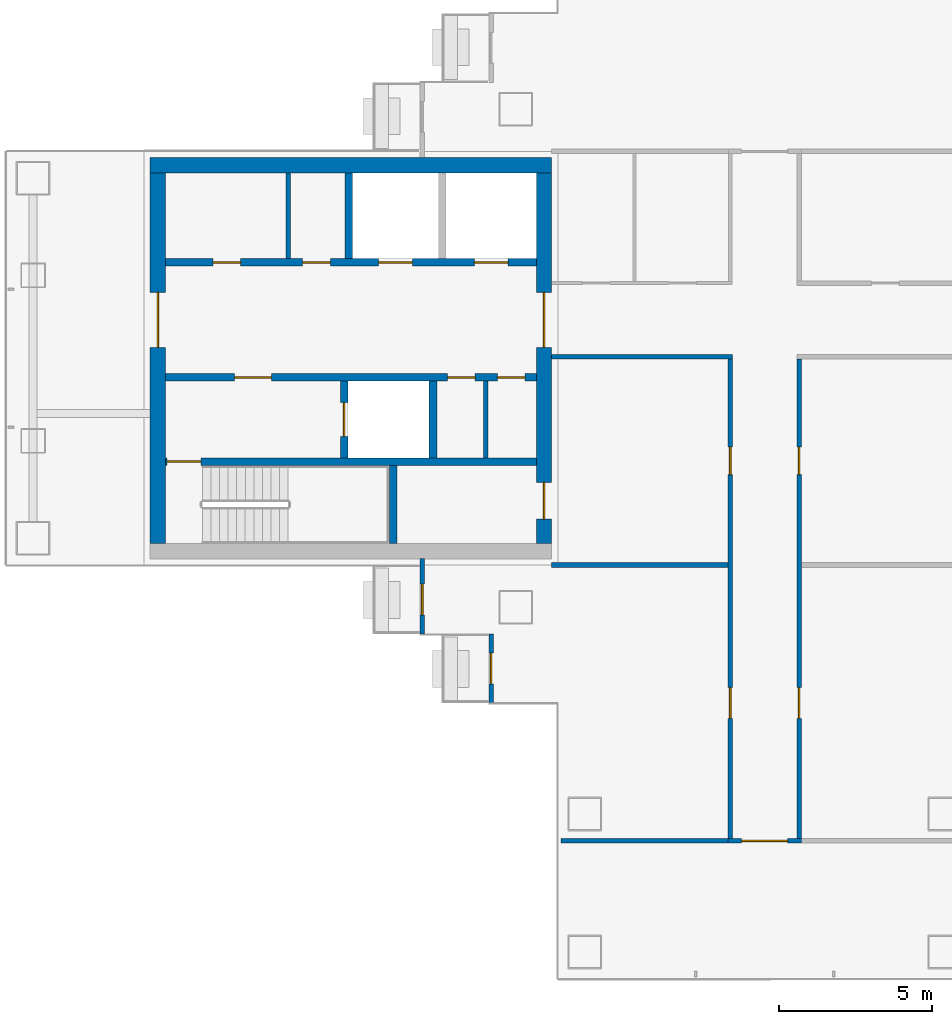
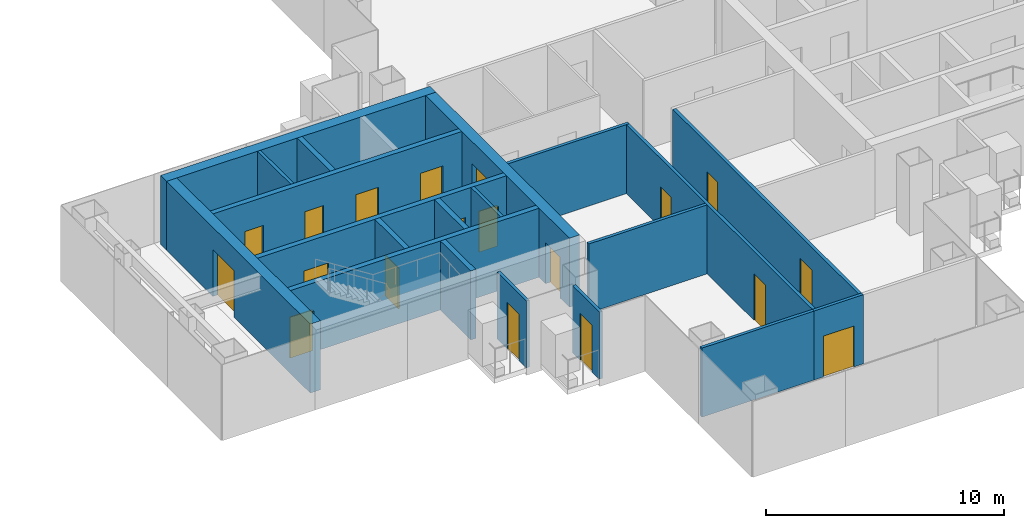
# One storey, part 11 of 17: 20 walls, 19 doors, 19 openings.
"""IFC4 building model written with IfcOpenShell, lengths in metres."""

from ifc_helpers import new_model, si_unit, direction, frame, frame_2d, origin, place, context, subcontext, project, spatial, rectangle, extrude, material, layer, layer_set, type_object, element, fill, save


model = new_model("IFC4")

# Units and contexts
model_context = context("Model", 3, precision=1e-05, world=origin(), true_north=direction((0.0, 1.0)))
body_context = subcontext(model_context, "Body", "Model", "MODEL_VIEW")
ifc_project = project(units=[si_unit("LENGTHUNIT", "METRE"), si_unit("AREAUNIT", "SQUARE_METRE"), si_unit("VOLUMEUNIT", "CUBIC_METRE"), si_unit("PLANEANGLEUNIT", "RADIAN"), si_unit("MASSUNIT", "GRAM", prefix="KILO")], contexts=[model_context])

# Site, building, storey
site_placement = place(None, origin())
site = spatial("IfcSite", under=ifc_project, at=site_placement, CompositionType="ELEMENT")
building_placement = place(site_placement, origin())
building = spatial("IfcBuilding", under=site, at=building_placement, Name="Shamsa Quay Exchange Towers", CompositionType="ELEMENT")
storey_placement = place(building_placement, frame((0.0, 0.0, 170.10009765625)))
storey = spatial("IfcBuildingStorey", under=building, at=storey_placement, Name="L40", CompositionType="ELEMENT", Elevation=170.10009765625)

# Wall, opening, door
ifc_material_1 = material(Name="Aluminium EN AW-6063 T6, black anodised, with black enamelled glass infill", Category="aluminium")
ifc_layer_1 = layer(ifc_material_1, 0.14990234375)
ifc_layer_set_1 = layer_set([ifc_layer_1], Name="BALCONY DOOR BAY WALL 150")
wall_type_1 = type_object("IfcWallType", Name="BALCONY DOOR BAY WALL 150", PredefinedType="SOLIDWALL", material=ifc_layer_set_1)
wall_1_placement = place(storey_placement, frame((22.574951171875, -9.0, 0.0), z_axis=(0.0, 0.0, 1.0), x_axis=(0.0, 1.0, 0.0)))
wall_1 = element("IfcWall", 1, at=wall_1_placement, inside=storey, type_object=wall_type_1, Name="Door bay T2-PKWN L40", PredefinedType="SOLIDWALL", context=body_context, shape_type="SweptSolid", body=[
    extrude(rectangle(XDim=2.45703125, YDim=0.14990234375, at=frame_2d((1.228515625, 0.0))), origin(), (0.0, 0.0, 1.0), 3.449951171875),
])
opening_1_placement = place(wall_1_placement, frame((0.625, 0.0, 0.0)))
opening_1 = element("IfcOpeningElement", 2, at=opening_1_placement, cuts=wall_1, Name="Opening XD253", PredefinedType="OPENING", context=body_context, shape_type="SweptSolid", body=[
    extrude(rectangle(XDim=1.0, YDim=2.39990234375, at=frame_2d((0.5, 1.199951171875))), frame((0.0, 0.0849609375, 0.0), z_axis=(0.0, -1.0, 0.0), x_axis=(1.0, 0.0, 0.0)), (0.0, 0.0, 1.0), 0.169921875),
])
ifc_material_2 = material(Name="Aluminium EN AW-6063 T6, black anodised, with laminated glass leaf", Category="aluminium")
door_type_1 = type_object("IfcDoorType", Name="BALCONY DOOR 1000x2400", OperationType="SINGLE_SWING_LEFT", PredefinedType="DOOR", material=ifc_material_2)
door_1_placement = place(opening_1_placement, origin())
door_1 = element("IfcDoor", 3, at=door_1_placement, inside=storey, type_object=door_type_1, Name="Balcony door T2-PKWN L40", OperationType="SINGLE_SWING_LEFT", OverallHeight=2.39990234375, OverallWidth=1.0, PredefinedType="DOOR", context=body_context, shape_type="SweptSolid", body=[
    extrude(rectangle(XDim=1.0, YDim=2.39990234375, at=frame_2d((0.5, 1.199951171875))), frame((0.0, 0.02490234375, 0.0), z_axis=(0.0, -1.0, 0.0), x_axis=(1.0, 0.0, 0.0)), (0.0, 0.0, 1.0), 0.050048828125),
])
fill(opening_1, door_1)

wall_2_placement = place(storey_placement, frame((24.824951171875, -11.25, 0.0), z_axis=(0.0, 0.0, 1.0), x_axis=(0.0, 1.0, 0.0)))
wall_2 = element("IfcWall", 4, at=wall_2_placement, inside=storey, type_object=wall_type_1, Name="Door bay T2-PKWN L40", PredefinedType="SOLIDWALL", context=body_context, shape_type="SweptSolid", body=[
    extrude(rectangle(XDim=2.25, YDim=0.14990234375, at=frame_2d((1.125, 0.0))), origin(), (0.0, 0.0, 1.0), 3.449951171875),
])
opening_2_placement = place(wall_2_placement, frame((0.625, 0.0, 0.0)))
opening_2 = element("IfcOpeningElement", 5, at=opening_2_placement, cuts=wall_2, Name="Opening XD254", PredefinedType="OPENING", context=body_context, shape_type="SweptSolid", body=[
    extrude(rectangle(XDim=1.0, YDim=2.39990234375, at=frame_2d((0.5, 1.199951171875))), frame((0.0, 0.0849609375, 0.0), z_axis=(0.0, -1.0, 0.0), x_axis=(1.0, 0.0, 0.0)), (0.0, 0.0, 1.0), 0.169921875),
])
door_2_placement = place(opening_2_placement, origin())
door_2 = element("IfcDoor", 6, at=door_2_placement, inside=storey, type_object=door_type_1, Name="Balcony door T2-PKWN L40", OperationType="SINGLE_SWING_RIGHT", OverallHeight=2.39990234375, OverallWidth=1.0, PredefinedType="DOOR", context=body_context, shape_type="SweptSolid", body=[
    extrude(rectangle(XDim=1.0, YDim=2.39990234375, at=frame_2d((0.5, 1.199951171875))), frame((0.0, 0.02490234375, 0.0), z_axis=(0.0, -1.0, 0.0), x_axis=(1.0, 0.0, 0.0)), (0.0, 0.0, 1.0), 0.050048828125),
])
fill(opening_2, door_2)

# Wall
ifc_material_3 = material(Name="Concrete C60/75", Category="concrete")
ifc_layer_2 = layer(ifc_material_3, 0.5)
ifc_layer_set_2 = layer_set([ifc_layer_2], Name="CORE WALL 500 C60/75")
wall_type_2 = type_object("IfcWallType", Name="CORE WALL 500 C60/75", PredefinedType="SHEAR", material=ifc_layer_set_2)
wall_3_placement = place(storey_placement, frame((13.699951171875, 6.300048828125, 0.0)))
element("IfcWall", 7, at=wall_3_placement, inside=storey, type_object=wall_type_2, Name="Core wall T2A-R19-PN", PredefinedType="SHEAR", context=body_context, shape_type="SweptSolid", body=[
    extrude(rectangle(XDim=13.10009765625, YDim=0.5, at=frame_2d((6.550048828125, 0.0))), origin(), (0.0, 0.0, 1.0), 3.5498046875),
])

# Wall, opening, door
wall_4_placement = place(storey_placement, frame((13.949951171875, 6.050048828125, 0.0), z_axis=(0.0, 0.0, 1.0), x_axis=(0.0, -1.0, 0.0)))
wall_4 = element("IfcWall", 8, at=wall_4_placement, inside=storey, type_object=wall_type_2, Name="Core wall T2A-R19-PF", PredefinedType="SHEAR", context=body_context, shape_type="SweptSolid", body=[
    extrude(rectangle(XDim=12.10009765625, YDim=0.5, at=frame_2d((6.050048828125, 0.0))), origin(), (0.0, 0.0, 1.0), 3.5498046875),
])
opening_3_placement = place(wall_4_placement, frame((3.89990234375, 0.0, 0.0)))
opening_3 = element("IfcOpeningElement", 9, at=opening_3_placement, cuts=wall_4, Name="Opening T2A-R19-LBD01", PredefinedType="OPENING", context=body_context, shape_type="SweptSolid", body=[
    extrude(rectangle(XDim=1.800048828125, YDim=2.39990234375, at=frame_2d((0.89990234375, 1.199951171875))), frame((0.0, 0.260009765625, 0.0), z_axis=(0.0, -1.0, 0.0), x_axis=(1.0, 0.0, 0.0)), (0.0, 0.0, 1.0), 0.52001953125),
])
ifc_material_4 = material(Name="Steel, fire rated", Category="steel")
door_type_2 = type_object("IfcDoorType", Name="LIFT LOBBY DOOR PAIR 1800", OperationType="DOUBLE_DOOR_SINGLE_SWING", PredefinedType="DOOR", material=ifc_material_4)
door_3_placement = place(opening_3_placement, origin())
door_3 = element("IfcDoor", 10, at=door_3_placement, inside=storey, type_object=door_type_2, Name="T2A-R19-LBD01", OperationType="DOUBLE_DOOR_SINGLE_SWING", OverallHeight=2.39990234375, OverallWidth=1.800048828125, PredefinedType="DOOR", context=body_context, shape_type="SweptSolid", body=[
    extrude(rectangle(XDim=1.800048828125, YDim=2.39990234375, at=frame_2d((0.89990234375, 1.199951171875))), frame((0.0, 0.02490234375, 0.0), z_axis=(0.0, -1.0, 0.0), x_axis=(1.0, 0.0, 0.0)), (0.0, 0.0, 1.0), 0.050048828125),
])
fill(opening_3, door_3)

# Wall, openings, doors
wall_5_placement = place(storey_placement, frame((26.550048828125, 6.050048828125, 0.0), z_axis=(0.0, 0.0, 1.0), x_axis=(0.0, -1.0, 0.0)))
wall_5 = element("IfcWall", 11, at=wall_5_placement, inside=storey, type_object=wall_type_2, Name="Core wall T2A-R19-PB", PredefinedType="SHEAR", context=body_context, shape_type="SweptSolid", body=[
    extrude(rectangle(XDim=12.10009765625, YDim=0.5, at=frame_2d((6.050048828125, 0.0))), origin(), (0.0, 0.0, 1.0), 3.5498046875),
])
opening_4_placement = place(wall_5_placement, frame((10.10009765625, 0.0, 0.0)))
opening_4 = element("IfcOpeningElement", 12, at=opening_4_placement, cuts=wall_5, Name="Opening T2A-R19-RD02", PredefinedType="OPENING", context=body_context, shape_type="SweptSolid", body=[
    extrude(rectangle(XDim=1.199951171875, YDim=2.10009765625, at=frame_2d((0.60009765625, 1.050048828125))), frame((0.0, 0.260009765625, 0.0), z_axis=(0.0, -1.0, 0.0), x_axis=(1.0, 0.0, 0.0)), (0.0, 0.0, 1.0), 0.52001953125),
])
opening_5_placement = place(wall_5_placement, frame((3.89990234375, 0.0, 0.0)))
opening_5 = element("IfcOpeningElement", 13, at=opening_5_placement, cuts=wall_5, Name="Opening T2A-R19-LBD03", PredefinedType="OPENING", context=body_context, shape_type="SweptSolid", body=[
    extrude(rectangle(XDim=1.800048828125, YDim=2.39990234375, at=frame_2d((0.89990234375, 1.199951171875))), frame((0.0, 0.260009765625, 0.0), z_axis=(0.0, -1.0, 0.0), x_axis=(1.0, 0.0, 0.0)), (0.0, 0.0, 1.0), 0.52001953125),
])
door_4_placement = place(opening_5_placement, origin())
door_4 = element("IfcDoor", 14, at=door_4_placement, inside=storey, type_object=door_type_2, Name="T2A-R19-LBD03", OperationType="DOUBLE_DOOR_SINGLE_SWING", OverallHeight=2.39990234375, OverallWidth=1.800048828125, PredefinedType="DOOR", context=body_context, shape_type="SweptSolid", body=[
    extrude(rectangle(XDim=1.800048828125, YDim=2.39990234375, at=frame_2d((0.89990234375, 1.199951171875))), frame((0.0, 0.02490234375, 0.0), z_axis=(0.0, -1.0, 0.0), x_axis=(1.0, 0.0, 0.0)), (0.0, 0.0, 1.0), 0.050048828125),
])
fill(opening_5, door_4)
door_type_3 = type_object("IfcDoorType", Name="RISER ACCESS DOOR 1200", OperationType="SINGLE_SWING_LEFT", PredefinedType="DOOR", material=ifc_material_4)
door_5_placement = place(opening_4_placement, origin())
door_5 = element("IfcDoor", 15, at=door_5_placement, inside=storey, type_object=door_type_3, Name="T2A-R19-RD02", OperationType="SINGLE_SWING_RIGHT", OverallHeight=2.10009765625, OverallWidth=1.199951171875, PredefinedType="DOOR", context=body_context, shape_type="SweptSolid", body=[
    extrude(rectangle(XDim=1.199951171875, YDim=2.10009765625, at=frame_2d((0.60009765625, 1.050048828125))), frame((0.0, 0.02490234375, 0.0), z_axis=(0.0, -1.0, 0.0), x_axis=(1.0, 0.0, 0.0)), (0.0, 0.0, 1.0), 0.050048828125),
])
fill(opening_4, door_5)

# Walls
ifc_material_5 = material(Name="Gypsum board on steel studs, EI 60", Category="steel")
ifc_layer_3 = layer(ifc_material_5, 0.14990234375)
ifc_layer_set_3 = layer_set([ifc_layer_3], Name="FIRE PARTITION 150")
wall_type_3 = type_object("IfcWallType", Name="FIRE PARTITION 150", PredefinedType="PARTITIONING", material=ifc_layer_set_3)
wall_6_placement = place(storey_placement, frame((24.64990234375, -3.25, 0.0), z_axis=(0.0, 0.0, 1.0), x_axis=(0.0, 1.0, 0.0)))
element("IfcWall", 16, at=wall_6_placement, inside=storey, type_object=wall_type_3, Name="Partition T2A-R19-EC0", PredefinedType="PARTITIONING", context=body_context, shape_type="SweptSolid", body=[
    extrude(rectangle(XDim=2.5, YDim=0.14990234375, at=frame_2d((1.25, 0.0))), origin(), (0.0, 0.0, 1.0), 3.5498046875),
])
wall_7_placement = place(storey_placement, frame((18.199951171875, 3.25, 0.0), z_axis=(0.0, 0.0, 1.0), x_axis=(0.0, 1.0, 0.0)))
element("IfcWall", 17, at=wall_7_placement, inside=storey, type_object=wall_type_3, Name="Partition T2A-R19-FC0", PredefinedType="PARTITIONING", context=body_context, shape_type="SweptSolid", body=[
    extrude(rectangle(XDim=2.800048828125, YDim=0.14990234375, at=frame_2d((1.39990234375, 0.0))), origin(), (0.0, 0.0, 1.0), 3.5498046875),
])
ifc_material_6 = material(Name="Gypsum board partition on metal studs")
ifc_layer_4 = layer(ifc_material_6, 0.14990234375)
ifc_layer_set_4 = layer_set([ifc_layer_4], Name="Partition 150 mm EI 60")
wall_type_4 = type_object("IfcWallType", Name="Partition 150 mm EI 60", PredefinedType="PARTITIONING", material=ifc_layer_set_4)
wall_8_placement = place(storey_placement, frame((32.699951171875, 0.0498046875, 0.0), z_axis=(0.0, 0.0, 1.0), x_axis=(-1.0, 0.0, 0.0)))
element("IfcWall", 18, at=wall_8_placement, inside=storey, type_object=wall_type_4, Name="Partition T2-R19-W03", PredefinedType="PARTITIONING", context=body_context, shape_type="SweptSolid", body=[
    extrude(rectangle(XDim=5.89990234375, YDim=0.14990234375, at=frame_2d((2.949951171875, 0.0))), origin(), (0.0, 0.0, 1.0), 3.5498046875),
])

# Wall, openings, doors
wall_9_placement = place(storey_placement, frame((32.625, -15.675048828125, 0.0), z_axis=(0.0, 0.0, 1.0), x_axis=(0.0, 1.0, 0.0)))
wall_9 = element("IfcWall", 19, at=wall_9_placement, inside=storey, type_object=wall_type_4, Name="Partition T2-R19-W05", PredefinedType="PARTITIONING", context=body_context, shape_type="SweptSolid", body=[
    extrude(rectangle(XDim=15.64990234375, YDim=0.14990234375, at=frame_2d((7.824951171875, 0.0))), origin(), (0.0, 0.0, 1.0), 3.5498046875),
])
opening_6_placement = place(wall_9_placement, frame((11.875, 0.0, 0.0)))
opening_6 = element("IfcOpeningElement", 20, at=opening_6_placement, cuts=wall_9, Name="Opening T2-R19-D06", PredefinedType="OPENING", context=body_context, shape_type="SweptSolid", body=[
    extrude(rectangle(XDim=0.89990234375, YDim=2.10009765625, at=frame_2d((0.449951171875, 1.050048828125))), frame((0.0, 0.0849609375, 0.0), z_axis=(0.0, -1.0, 0.0), x_axis=(1.0, 0.0, 0.0)), (0.0, 0.0, 1.0), 0.169921875),
])
opening_7_placement = place(wall_9_placement, frame((3.925048828125, 0.0, 0.0)))
opening_7 = element("IfcOpeningElement", 21, at=opening_7_placement, cuts=wall_9, Name="Opening T2-R19-D07", PredefinedType="OPENING", context=body_context, shape_type="SweptSolid", body=[
    extrude(rectangle(XDim=1.0, YDim=2.39990234375, at=frame_2d((0.5, 1.199951171875))), frame((0.0, 0.0849609375, 0.0), z_axis=(0.0, -1.0, 0.0), x_axis=(1.0, 0.0, 0.0)), (0.0, 0.0, 1.0), 0.169921875),
])
ifc_material_7 = material(Name="Timber door leaf in a metal frame", Category="wood")
door_type_4 = type_object("IfcDoorType", Name="Door 1000x2400 FD30S", OperationType="NOTDEFINED", PredefinedType="DOOR", material=ifc_material_7)
door_6_placement = place(opening_7_placement, origin())
door_6 = element("IfcDoor", 22, at=door_6_placement, inside=storey, type_object=door_type_4, Name="Door T2-R19-D07", OperationType="SINGLE_SWING_LEFT", OverallHeight=2.39990234375, OverallWidth=1.0, PredefinedType="DOOR", context=body_context, shape_type="SweptSolid", body=[
    extrude(rectangle(XDim=1.0, YDim=2.39990234375, at=frame_2d((0.5, 1.199951171875))), frame((0.0, 0.02490234375, 0.0), z_axis=(0.0, -1.0, 0.0), x_axis=(1.0, 0.0, 0.0)), (0.0, 0.0, 1.0), 0.050048828125),
])
fill(opening_7, door_6)
door_type_5 = type_object("IfcDoorType", Name="Door 900x2100 FD30S", OperationType="NOTDEFINED", PredefinedType="DOOR", material=ifc_material_7)
door_7_placement = place(opening_6_placement, origin())
door_7 = element("IfcDoor", 23, at=door_7_placement, inside=storey, type_object=door_type_5, Name="Door T2-R19-D06", OperationType="SINGLE_SWING_RIGHT", OverallHeight=2.10009765625, OverallWidth=0.89990234375, PredefinedType="DOOR", context=body_context, shape_type="SweptSolid", body=[
    extrude(rectangle(XDim=0.89990234375, YDim=2.10009765625, at=frame_2d((0.449951171875, 1.050048828125))), frame((0.0, 0.02490234375, 0.0), z_axis=(0.0, -1.0, 0.0), x_axis=(1.0, 0.0, 0.0)), (0.0, 0.0, 1.0), 0.050048828125),
])
fill(opening_6, door_7)

wall_10_placement = place(storey_placement, frame((34.875, -0.025146484375, 0.0), z_axis=(0.0, 0.0, 1.0), x_axis=(0.0, -1.0, 0.0)))
wall_10 = element("IfcWall", 24, at=wall_10_placement, inside=storey, type_object=wall_type_4, Name="Partition T2-R19-W07", PredefinedType="PARTITIONING", context=body_context, shape_type="SweptSolid", body=[
    extrude(rectangle(XDim=15.64990234375, YDim=0.14990234375, at=frame_2d((7.824951171875, 0.0))), origin(), (0.0, 0.0, 1.0), 3.5498046875),
])
opening_8_placement = place(wall_10_placement, frame((10.724853515625, 0.0, 0.0)))
opening_8 = element("IfcOpeningElement", 25, at=opening_8_placement, cuts=wall_10, Name="Opening T2-R19-D02", PredefinedType="OPENING", context=body_context, shape_type="SweptSolid", body=[
    extrude(rectangle(XDim=1.0, YDim=2.39990234375, at=frame_2d((0.5, 1.199951171875))), frame((0.0, 0.0849609375, 0.0), z_axis=(0.0, -1.0, 0.0), x_axis=(1.0, 0.0, 0.0)), (0.0, 0.0, 1.0), 0.169921875),
])
opening_9_placement = place(wall_10_placement, frame((2.875, 0.0, 0.0)))
opening_9 = element("IfcOpeningElement", 26, at=opening_9_placement, cuts=wall_10, Name="Opening T2-R19-D03", PredefinedType="OPENING", context=body_context, shape_type="SweptSolid", body=[
    extrude(rectangle(XDim=0.89990234375, YDim=2.10009765625, at=frame_2d((0.449951171875, 1.050048828125))), frame((0.0, 0.0849609375, 0.0), z_axis=(0.0, -1.0, 0.0), x_axis=(1.0, 0.0, 0.0)), (0.0, 0.0, 1.0), 0.169921875),
])
door_8_placement = place(opening_8_placement, origin())
door_8 = element("IfcDoor", 27, at=door_8_placement, inside=storey, type_object=door_type_4, Name="Door T2-R19-D02", OperationType="SINGLE_SWING_RIGHT", OverallHeight=2.39990234375, OverallWidth=1.0, PredefinedType="DOOR", context=body_context, shape_type="SweptSolid", body=[
    extrude(rectangle(XDim=1.0, YDim=2.39990234375, at=frame_2d((0.5, 1.199951171875))), frame((0.0, 0.02490234375, 0.0), z_axis=(0.0, -1.0, 0.0), x_axis=(1.0, 0.0, 0.0)), (0.0, 0.0, 1.0), 0.050048828125),
])
fill(opening_8, door_8)
door_9_placement = place(opening_9_placement, origin())
door_9 = element("IfcDoor", 28, at=door_9_placement, inside=storey, type_object=door_type_5, Name="Door T2-R19-D03", OperationType="SINGLE_SWING_LEFT", OverallHeight=2.10009765625, OverallWidth=0.89990234375, PredefinedType="DOOR", context=body_context, shape_type="SweptSolid", body=[
    extrude(rectangle(XDim=0.89990234375, YDim=2.10009765625, at=frame_2d((0.449951171875, 1.050048828125))), frame((0.0, 0.02490234375, 0.0), z_axis=(0.0, -1.0, 0.0), x_axis=(1.0, 0.0, 0.0)), (0.0, 0.0, 1.0), 0.050048828125),
])
fill(opening_9, door_9)

# Wall, opening, door
wall_11_placement = place(storey_placement, frame((34.949951171875, -15.75, 0.0), z_axis=(0.0, 0.0, 1.0), x_axis=(-1.0, 0.0, 0.0)))
wall_11 = element("IfcWall", 29, at=wall_11_placement, inside=storey, type_object=wall_type_4, Name="Partition T2-R19-W10", PredefinedType="PARTITIONING", context=body_context, shape_type="SweptSolid", body=[
    extrude(rectangle(XDim=2.39990234375, YDim=0.14990234375, at=frame_2d((1.199951171875, 0.0))), origin(), (0.0, 0.0, 1.0), 3.5498046875),
])
opening_10_placement = place(wall_11_placement, frame((0.449951171875, 0.0, 0.0)))
opening_10 = element("IfcOpeningElement", 30, at=opening_10_placement, cuts=wall_11, Name="Opening T2-R19-D05", PredefinedType="OPENING", context=body_context, shape_type="SweptSolid", body=[
    extrude(rectangle(XDim=1.5, YDim=2.10009765625, at=frame_2d((0.75, 1.050048828125))), frame((0.0, 0.0849609375, 0.0), z_axis=(0.0, -1.0, 0.0), x_axis=(1.0, 0.0, 0.0)), (0.0, 0.0, 1.0), 0.169921875),
])
door_type_6 = type_object("IfcDoorType", Name="Door 1500x2100 FD30S pair", OperationType="NOTDEFINED", PredefinedType="DOOR", material=ifc_material_7)
door_10_placement = place(opening_10_placement, origin())
door_10 = element("IfcDoor", 31, at=door_10_placement, inside=storey, type_object=door_type_6, Name="Door T2-R19-D05", OperationType="DOUBLE_DOOR_SINGLE_SWING", OverallHeight=2.10009765625, OverallWidth=1.5, PredefinedType="DOOR", context=body_context, shape_type="SweptSolid", body=[
    extrude(rectangle(XDim=1.5, YDim=2.10009765625, at=frame_2d((0.75, 1.050048828125))), frame((0.0, 0.02490234375, 0.0), z_axis=(0.0, -1.0, 0.0), x_axis=(1.0, 0.0, 0.0)), (0.0, 0.0, 1.0), 0.050048828125),
])
fill(opening_10, door_10)

# Walls
wall_12_placement = place(storey_placement, frame((26.800048828125, -6.75, 0.0)))
element("IfcWall", 32, at=wall_12_placement, inside=storey, type_object=wall_type_4, Name="Partition T2-R19-W15", PredefinedType="PARTITIONING", context=body_context, shape_type="SweptSolid", body=[
    extrude(rectangle(XDim=5.75, YDim=0.14990234375, at=frame_2d((2.875, 0.0))), origin(), (0.0, 0.0, 1.0), 3.5498046875),
])
wall_13_placement = place(storey_placement, frame((27.094970703125, -15.75, 0.0)))
element("IfcWall", 33, at=wall_13_placement, inside=storey, type_object=wall_type_4, Name="Partition T2-R19-W17", PredefinedType="PARTITIONING", context=body_context, shape_type="SweptSolid", body=[
    extrude(rectangle(XDim=5.60498046875, YDim=0.14990234375, at=frame_2d((2.802490234375, 0.0))), origin(), (0.0, 0.0, 1.0), 3.5498046875),
])

# Wall, opening, door
ifc_material_8 = material(Name="Concrete C50/60", Category="concrete")
ifc_layer_5 = layer(ifc_material_8, 0.25)
ifc_layer_set_5 = layer_set([ifc_layer_5], Name="SHAFT WALL 250 C50/60")
wall_type_5 = type_object("IfcWallType", Name="SHAFT WALL 250 C50/60", PredefinedType="SHEAR", material=ifc_layer_set_5)
wall_14_placement = place(storey_placement, frame((26.300048828125, -3.375, 0.0), z_axis=(0.0, 0.0, 1.0), x_axis=(-1.0, 0.0, 0.0)))
wall_14 = element("IfcWall", 34, at=wall_14_placement, inside=storey, type_object=wall_type_5, Name="Shaft wall T2A-R19-STL", PredefinedType="SHEAR", context=body_context, shape_type="SweptSolid", body=[
    extrude(rectangle(XDim=12.10009765625, YDim=0.25, at=frame_2d((6.050048828125, 0.0))), origin(), (0.0, 0.0, 1.0), 3.5498046875),
])
opening_11_placement = place(wall_14_placement, frame((10.949951171875, 0.0, 0.0)))
opening_11 = element("IfcOpeningElement", 35, at=opening_11_placement, cuts=wall_14, Name="Opening T2A-R19-SD04", PredefinedType="OPENING", context=body_context, shape_type="SweptSolid", body=[
    extrude(rectangle(XDim=1.10009765625, YDim=2.10009765625, at=frame_2d((0.550048828125, 1.050048828125))), frame((0.0, 0.135009765625, 0.0), z_axis=(0.0, -1.0, 0.0), x_axis=(1.0, 0.0, 0.0)), (0.0, 0.0, 1.0), 0.27001953125),
])
door_type_7 = type_object("IfcDoorType", Name="STAIR DOOR 1100", OperationType="SINGLE_SWING_LEFT", PredefinedType="DOOR", material=ifc_material_4)
door_11_placement = place(opening_11_placement, origin())
door_11 = element("IfcDoor", 36, at=door_11_placement, inside=storey, type_object=door_type_7, Name="T2A-R19-SD04", OperationType="SINGLE_SWING_RIGHT", OverallHeight=2.10009765625, OverallWidth=1.10009765625, PredefinedType="DOOR", context=body_context, shape_type="SweptSolid", body=[
    extrude(rectangle(XDim=1.10009765625, YDim=2.10009765625, at=frame_2d((0.550048828125, 1.050048828125))), frame((0.0, 0.02490234375, 0.0), z_axis=(0.0, -1.0, 0.0), x_axis=(1.0, 0.0, 0.0)), (0.0, 0.0, 1.0), 0.050048828125),
])
fill(opening_11, door_11)

# Wall
wall_15_placement = place(storey_placement, frame((21.625, -6.050048828125, 0.0), z_axis=(0.0, 0.0, 1.0), x_axis=(0.0, 1.0, 0.0)))
element("IfcWall", 37, at=wall_15_placement, inside=storey, type_object=wall_type_5, Name="Shaft wall T2A-R19-STF", PredefinedType="SHEAR", context=body_context, shape_type="SweptSolid", body=[
    extrude(rectangle(XDim=2.550048828125, YDim=0.25, at=frame_2d((1.27490234375, 0.0))), origin(), (0.0, 0.0, 1.0), 3.5498046875),
])

# Wall, openings, doors
wall_16_placement = place(storey_placement, frame((26.300048828125, -0.625, 0.0), z_axis=(0.0, 0.0, 1.0), x_axis=(-1.0, 0.0, 0.0)))
wall_16 = element("IfcWall", 38, at=wall_16_placement, inside=storey, type_object=wall_type_5, Name="Shaft wall T2A-R19-B", PredefinedType="SHEAR", context=body_context, shape_type="SweptSolid", body=[
    extrude(rectangle(XDim=12.10009765625, YDim=0.25, at=frame_2d((6.050048828125, 0.0))), origin(), (0.0, 0.0, 1.0), 3.5498046875),
])
opening_12_placement = place(wall_16_placement, frame((8.64990234375, 0.0, 0.0)))
opening_12 = element("IfcOpeningElement", 39, at=opening_12_placement, cuts=wall_16, Name="Opening T2A-R19-FD05", PredefinedType="OPENING", context=body_context, shape_type="SweptSolid", body=[
    extrude(rectangle(XDim=1.199951171875, YDim=2.10009765625, at=frame_2d((0.60009765625, 1.050048828125))), frame((0.0, 0.135009765625, 0.0), z_axis=(0.0, -1.0, 0.0), x_axis=(1.0, 0.0, 0.0)), (0.0, 0.0, 1.0), 0.27001953125),
])
opening_13_placement = place(wall_16_placement, frame((2.0, 0.0, 0.0)))
opening_13 = element("IfcOpeningElement", 40, at=opening_13_placement, cuts=wall_16, Name="Opening T2A-R19-SV06", PredefinedType="OPENING", context=body_context, shape_type="SweptSolid", body=[
    extrude(rectangle(XDim=0.89990234375, YDim=2.10009765625, at=frame_2d((0.449951171875, 1.050048828125))), frame((0.0, 0.135009765625, 0.0), z_axis=(0.0, -1.0, 0.0), x_axis=(1.0, 0.0, 0.0)), (0.0, 0.0, 1.0), 0.27001953125),
])
opening_14_placement = place(wall_16_placement, frame((0.375, 0.0, 0.0)))
opening_14 = element("IfcOpeningElement", 41, at=opening_14_placement, cuts=wall_16, Name="Opening T2A-R19-SV07", PredefinedType="OPENING", context=body_context, shape_type="SweptSolid", body=[
    extrude(rectangle(XDim=0.89990234375, YDim=2.10009765625, at=frame_2d((0.449951171875, 1.050048828125))), frame((0.0, 0.135009765625, 0.0), z_axis=(0.0, -1.0, 0.0), x_axis=(1.0, 0.0, 0.0)), (0.0, 0.0, 1.0), 0.27001953125),
])
door_type_8 = type_object("IfcDoorType", Name="FIRE SERVICE LOBBY DOOR 1200", OperationType="SINGLE_SWING_LEFT", PredefinedType="DOOR", material=ifc_material_4)
door_12_placement = place(opening_12_placement, origin())
door_12 = element("IfcDoor", 42, at=door_12_placement, inside=storey, type_object=door_type_8, Name="T2A-R19-FD05", OperationType="SINGLE_SWING_RIGHT", OverallHeight=2.10009765625, OverallWidth=1.199951171875, PredefinedType="DOOR", context=body_context, shape_type="SweptSolid", body=[
    extrude(rectangle(XDim=1.199951171875, YDim=2.10009765625, at=frame_2d((0.60009765625, 1.050048828125))), frame((0.0, 0.02490234375, 0.0), z_axis=(0.0, -1.0, 0.0), x_axis=(1.0, 0.0, 0.0)), (0.0, 0.0, 1.0), 0.050048828125),
])
fill(opening_12, door_12)
door_type_9 = type_object("IfcDoorType", Name="SERVICE ROOM DOOR 900", OperationType="SINGLE_SWING_LEFT", PredefinedType="DOOR", material=ifc_material_4)
door_13_placement = place(opening_13_placement, origin())
door_13 = element("IfcDoor", 43, at=door_13_placement, inside=storey, type_object=door_type_9, Name="T2A-R19-SV06", OperationType="SINGLE_SWING_LEFT", OverallHeight=2.10009765625, OverallWidth=0.89990234375, PredefinedType="DOOR", context=body_context, shape_type="SweptSolid", body=[
    extrude(rectangle(XDim=0.89990234375, YDim=2.10009765625, at=frame_2d((0.449951171875, 1.050048828125))), frame((0.0, 0.02490234375, 0.0), z_axis=(0.0, -1.0, 0.0), x_axis=(1.0, 0.0, 0.0)), (0.0, 0.0, 1.0), 0.050048828125),
])
fill(opening_13, door_13)
door_14_placement = place(opening_14_placement, origin())
door_14 = element("IfcDoor", 44, at=door_14_placement, inside=storey, type_object=door_type_9, Name="T2A-R19-SV07", OperationType="SINGLE_SWING_LEFT", OverallHeight=2.10009765625, OverallWidth=0.89990234375, PredefinedType="DOOR", context=body_context, shape_type="SweptSolid", body=[
    extrude(rectangle(XDim=0.89990234375, YDim=2.10009765625, at=frame_2d((0.449951171875, 1.050048828125))), frame((0.0, 0.02490234375, 0.0), z_axis=(0.0, -1.0, 0.0), x_axis=(1.0, 0.0, 0.0)), (0.0, 0.0, 1.0), 0.050048828125),
])
fill(opening_14, door_14)

# Wall, opening, door
wall_17_placement = place(storey_placement, frame((20.02490234375, -3.25, 0.0), z_axis=(0.0, 0.0, 1.0), x_axis=(0.0, 1.0, 0.0)))
wall_17 = element("IfcWall", 45, at=wall_17_placement, inside=storey, type_object=wall_type_5, Name="Shaft wall T2A-R19-FFF", PredefinedType="SHEAR", context=body_context, shape_type="SweptSolid", body=[
    extrude(rectangle(XDim=2.5, YDim=0.25, at=frame_2d((1.25, 0.0))), origin(), (0.0, 0.0, 1.0), 3.5498046875),
])
opening_15_placement = place(wall_17_placement, frame((0.699951171875, 0.0, 0.0)))
opening_15 = element("IfcOpeningElement", 46, at=opening_15_placement, cuts=wall_17, Name="Opening T2A-R19-LDF08", PredefinedType="OPENING", context=body_context, shape_type="SweptSolid", body=[
    extrude(rectangle(XDim=1.10009765625, YDim=2.10009765625, at=frame_2d((0.550048828125, 1.050048828125))), frame((0.0, 0.135009765625, 0.0), z_axis=(0.0, -1.0, 0.0), x_axis=(1.0, 0.0, 0.0)), (0.0, 0.0, 1.0), 0.27001953125),
])
door_type_10 = type_object("IfcDoorType", Name="FIRE SERVICE LANDING DOOR 1100", OperationType="SLIDING_TO_LEFT", PredefinedType="DOOR", material=ifc_material_4)
door_15_placement = place(opening_15_placement, origin())
door_15 = element("IfcDoor", 47, at=door_15_placement, inside=storey, type_object=door_type_10, Name="T2A-R19-LDF08", OperationType="SLIDING_TO_LEFT", OverallHeight=2.10009765625, OverallWidth=1.10009765625, PredefinedType="DOOR", context=body_context, shape_type="SweptSolid", body=[
    extrude(rectangle(XDim=1.10009765625, YDim=2.10009765625, at=frame_2d((0.550048828125, 1.050048828125))), frame((0.0, 0.02490234375, 0.0), z_axis=(0.0, -1.0, 0.0), x_axis=(1.0, 0.0, 0.0)), (0.0, 0.0, 1.0), 0.050048828125),
])
fill(opening_15, door_15)

# Wall
wall_18_placement = place(storey_placement, frame((22.925048828125, -3.25, 0.0), z_axis=(0.0, 0.0, 1.0), x_axis=(0.0, 1.0, 0.0)))
element("IfcWall", 48, at=wall_18_placement, inside=storey, type_object=wall_type_5, Name="Shaft wall T2A-R19-FFB", PredefinedType="SHEAR", context=body_context, shape_type="SweptSolid", body=[
    extrude(rectangle(XDim=2.5, YDim=0.25, at=frame_2d((1.25, 0.0))), origin(), (0.0, 0.0, 1.0), 3.5498046875),
])

# Wall, openings, doors
wall_19_placement = place(storey_placement, frame((14.199951171875, 3.125, 0.0)))
wall_19 = element("IfcWall", 49, at=wall_19_placement, inside=storey, type_object=wall_type_5, Name="Shaft wall T2A-R19-N", PredefinedType="SHEAR", context=body_context, shape_type="SweptSolid", body=[
    extrude(rectangle(XDim=12.10009765625, YDim=0.25, at=frame_2d((6.050048828125, 0.0))), origin(), (0.0, 0.0, 1.0), 3.5498046875),
])
opening_16_placement = place(wall_19_placement, frame((6.949951171875, 0.0, 0.0)))
opening_16 = element("IfcOpeningElement", 50, at=opening_16_placement, cuts=wall_19, Name="Opening T2A-R19-LD09", PredefinedType="OPENING", context=body_context, shape_type="SweptSolid", body=[
    extrude(rectangle(XDim=1.10009765625, YDim=2.10009765625, at=frame_2d((0.550048828125, 1.050048828125))), frame((0.0, 0.135009765625, 0.0), z_axis=(0.0, -1.0, 0.0), x_axis=(1.0, 0.0, 0.0)), (0.0, 0.0, 1.0), 0.27001953125),
])
opening_17_placement = place(wall_19_placement, frame((10.074951171875, 0.0, 0.0)))
opening_17 = element("IfcOpeningElement", 51, at=opening_17_placement, cuts=wall_19, Name="Opening T2A-R19-LD10", PredefinedType="OPENING", context=body_context, shape_type="SweptSolid", body=[
    extrude(rectangle(XDim=1.10009765625, YDim=2.10009765625, at=frame_2d((0.550048828125, 1.050048828125))), frame((0.0, 0.135009765625, 0.0), z_axis=(0.0, -1.0, 0.0), x_axis=(1.0, 0.0, 0.0)), (0.0, 0.0, 1.0), 0.27001953125),
])
opening_18_placement = place(wall_19_placement, frame((1.550048828125, 0.0, 0.0)))
opening_18 = element("IfcOpeningElement", 52, at=opening_18_placement, cuts=wall_19, Name="Opening T2A-R19-SV11", PredefinedType="OPENING", context=body_context, shape_type="SweptSolid", body=[
    extrude(rectangle(XDim=0.89990234375, YDim=2.10009765625, at=frame_2d((0.449951171875, 1.050048828125))), frame((0.0, 0.135009765625, 0.0), z_axis=(0.0, -1.0, 0.0), x_axis=(1.0, 0.0, 0.0)), (0.0, 0.0, 1.0), 0.27001953125),
])
opening_19_placement = place(wall_19_placement, frame((4.47509765625, 0.0, 0.0)))
opening_19 = element("IfcOpeningElement", 53, at=opening_19_placement, cuts=wall_19, Name="Opening T2A-R19-SV12", PredefinedType="OPENING", context=body_context, shape_type="SweptSolid", body=[
    extrude(rectangle(XDim=0.89990234375, YDim=2.10009765625, at=frame_2d((0.449951171875, 1.050048828125))), frame((0.0, 0.135009765625, 0.0), z_axis=(0.0, -1.0, 0.0), x_axis=(1.0, 0.0, 0.0)), (0.0, 0.0, 1.0), 0.27001953125),
])
door_type_11 = type_object("IfcDoorType", Name="LANDING DOOR 1100", OperationType="SLIDING_TO_LEFT", PredefinedType="DOOR", material=ifc_material_4)
door_16_placement = place(opening_16_placement, origin())
door_16 = element("IfcDoor", 54, at=door_16_placement, inside=storey, type_object=door_type_11, Name="T2A-R19-LD09", OperationType="SLIDING_TO_LEFT", OverallHeight=2.10009765625, OverallWidth=1.10009765625, PredefinedType="DOOR", context=body_context, shape_type="SweptSolid", body=[
    extrude(rectangle(XDim=1.10009765625, YDim=2.10009765625, at=frame_2d((0.550048828125, 1.050048828125))), frame((0.0, 0.02490234375, 0.0), z_axis=(0.0, -1.0, 0.0), x_axis=(1.0, 0.0, 0.0)), (0.0, 0.0, 1.0), 0.050048828125),
])
fill(opening_16, door_16)
door_17_placement = place(opening_17_placement, origin())
door_17 = element("IfcDoor", 55, at=door_17_placement, inside=storey, type_object=door_type_11, Name="T2A-R19-LD10", OperationType="SLIDING_TO_LEFT", OverallHeight=2.10009765625, OverallWidth=1.10009765625, PredefinedType="DOOR", context=body_context, shape_type="SweptSolid", body=[
    extrude(rectangle(XDim=1.10009765625, YDim=2.10009765625, at=frame_2d((0.550048828125, 1.050048828125))), frame((0.0, 0.02490234375, 0.0), z_axis=(0.0, -1.0, 0.0), x_axis=(1.0, 0.0, 0.0)), (0.0, 0.0, 1.0), 0.050048828125),
])
fill(opening_17, door_17)
door_18_placement = place(opening_18_placement, origin())
door_18 = element("IfcDoor", 56, at=door_18_placement, inside=storey, type_object=door_type_9, Name="T2A-R19-SV11", OperationType="SINGLE_SWING_LEFT", OverallHeight=2.10009765625, OverallWidth=0.89990234375, PredefinedType="DOOR", context=body_context, shape_type="SweptSolid", body=[
    extrude(rectangle(XDim=0.89990234375, YDim=2.10009765625, at=frame_2d((0.449951171875, 1.050048828125))), frame((0.0, 0.02490234375, 0.0), z_axis=(0.0, -1.0, 0.0), x_axis=(1.0, 0.0, 0.0)), (0.0, 0.0, 1.0), 0.050048828125),
])
fill(opening_18, door_18)
door_19_placement = place(opening_19_placement, origin())
door_19 = element("IfcDoor", 57, at=door_19_placement, inside=storey, type_object=door_type_9, Name="T2A-R19-SV12", OperationType="SINGLE_SWING_LEFT", OverallHeight=2.10009765625, OverallWidth=0.89990234375, PredefinedType="DOOR", context=body_context, shape_type="SweptSolid", body=[
    extrude(rectangle(XDim=0.89990234375, YDim=2.10009765625, at=frame_2d((0.449951171875, 1.050048828125))), frame((0.0, 0.02490234375, 0.0), z_axis=(0.0, -1.0, 0.0), x_axis=(1.0, 0.0, 0.0)), (0.0, 0.0, 1.0), 0.050048828125),
])
fill(opening_19, door_19)

# Wall
wall_20_placement = place(storey_placement, frame((20.175048828125, 3.25, 0.0), z_axis=(0.0, 0.0, 1.0), x_axis=(0.0, 1.0, 0.0)))
element("IfcWall", 58, at=wall_20_placement, inside=storey, type_object=wall_type_5, Name="Shaft wall T2A-R19-D1", PredefinedType="SHEAR", context=body_context, shape_type="SweptSolid", body=[
    extrude(rectangle(XDim=2.800048828125, YDim=0.25, at=frame_2d((1.39990234375, 0.0))), origin(), (0.0, 0.0, 1.0), 3.5498046875),
])

save(model, "model.ifc")
